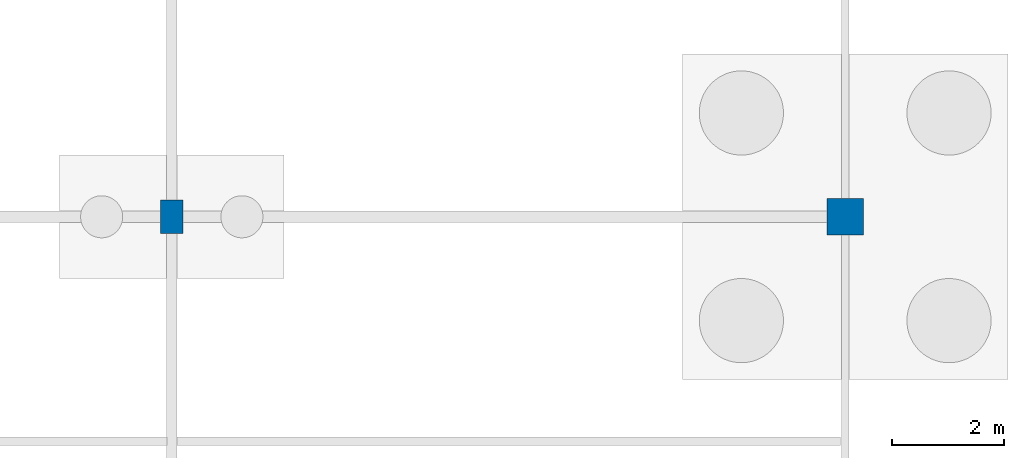
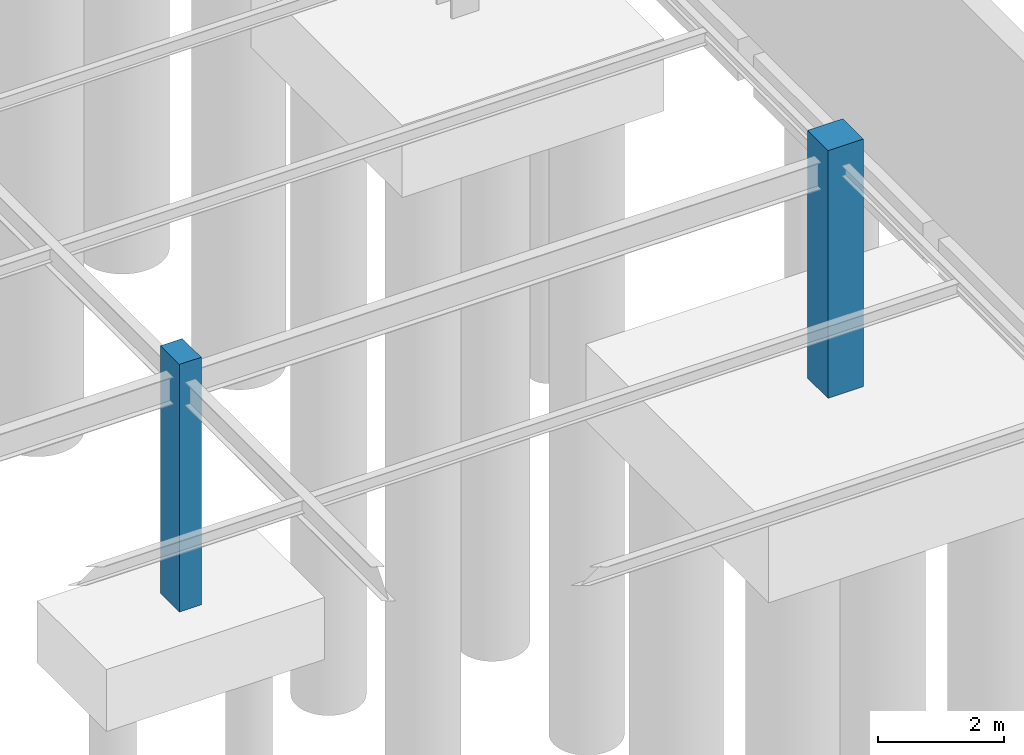
# One storey, part 56 of 136: 2 columns.
"""IFC4 building model written with IfcOpenShell, lengths in metres."""

from ifc_helpers import new_model, si_unit, direction, frame, origin, origin_2d, place, context, subcontext, project, spatial, rectangle, extrude, material, material_profile, profile_set, type_object, element, save


model = new_model("IFC4")

# Units and contexts
model_context = context("Model", 3, precision=1e-05, world=origin(), true_north=direction((0.0, 1.0)))
body_context = subcontext(model_context, "Body", "Model", "MODEL_VIEW")
ifc_project = project(units=[si_unit("LENGTHUNIT", "METRE"), si_unit("AREAUNIT", "SQUARE_METRE"), si_unit("VOLUMEUNIT", "CUBIC_METRE"), si_unit("PLANEANGLEUNIT", "RADIAN"), si_unit("MASSUNIT", "GRAM", prefix="KILO")], contexts=[model_context])

# Site, building, storey
site_placement = place(None, origin())
site = spatial("IfcSite", under=ifc_project, at=site_placement, CompositionType="ELEMENT")
building_placement = place(site_placement, origin())
building = spatial("IfcBuilding", under=site, at=building_placement, Name="Tarnwether General Hospital", CompositionType="ELEMENT")
storey_placement = place(building_placement, frame((0.0, 0.0, -4.800048828125)))
storey = spatial("IfcBuildingStorey", under=building, at=storey_placement, Name="LG", CompositionType="ELEMENT", Elevation=-4.800048828125)

# Columns
ifc_material_1 = material(Name="Concrete 50 MPa", Category="concrete")
ifc_material_profile_1 = material_profile(ifc_material_1, rectangle(XDim=0.39990234375, YDim=0.60009765625, at=origin_2d()), Name="RC-PIL-400x600")
ifc_profile_set_1 = profile_set([ifc_material_profile_1], Name="Concrete 50 MPa")
column_type_1 = type_object("IfcColumnType", Name="COL-21", PredefinedType="PILASTER", material=ifc_profile_set_1)
column_1_placement = place(storey_placement, frame((180.0, 57.60009765625, 0.0), z_axis=(0.0, 0.0, 1.0), x_axis=(1.0, 0.0, 0.0)))
element("IfcColumn", 1, at=column_1_placement, inside=storey, type_object=column_type_1, Name="Column COLG-LG-18000_5760", PredefinedType="PILASTER", context=body_context, shape_type="SweptSolid", body=[
    extrude(rectangle(XDim=0.39990234375, YDim=0.60009765625, at=origin_2d()), origin(), (0.0, 0.0, 1.0), 4.800048828125),
])
ifc_material_2 = material(Name="Concrete 50 MPa", Category="concrete")
ifc_material_profile_2 = material_profile(ifc_material_2, rectangle(XDim=0.64990234375, YDim=0.64990234375, at=origin_2d()), Name="RC-COL-650x650")
ifc_profile_set_2 = profile_set([ifc_material_profile_2], Name="Concrete 50 MPa")
column_type_2 = type_object("IfcColumnType", Name="COL-35", PredefinedType="COLUMN", material=ifc_profile_set_2)
column_2_placement = place(storey_placement, frame((192.0, 57.60009765625, 0.0), z_axis=(0.0, 0.0, 1.0), x_axis=(1.0, 0.0, 0.0)))
element("IfcColumn", 2, at=column_2_placement, inside=storey, type_object=column_type_2, Name="Column COLG-LG-19200_5760", PredefinedType="COLUMN", context=body_context, shape_type="SweptSolid", body=[
    extrude(rectangle(XDim=0.64990234375, YDim=0.64990234375, at=origin_2d()), origin(), (0.0, 0.0, 1.0), 4.800048828125),
])

save(model, "model.ifc")
